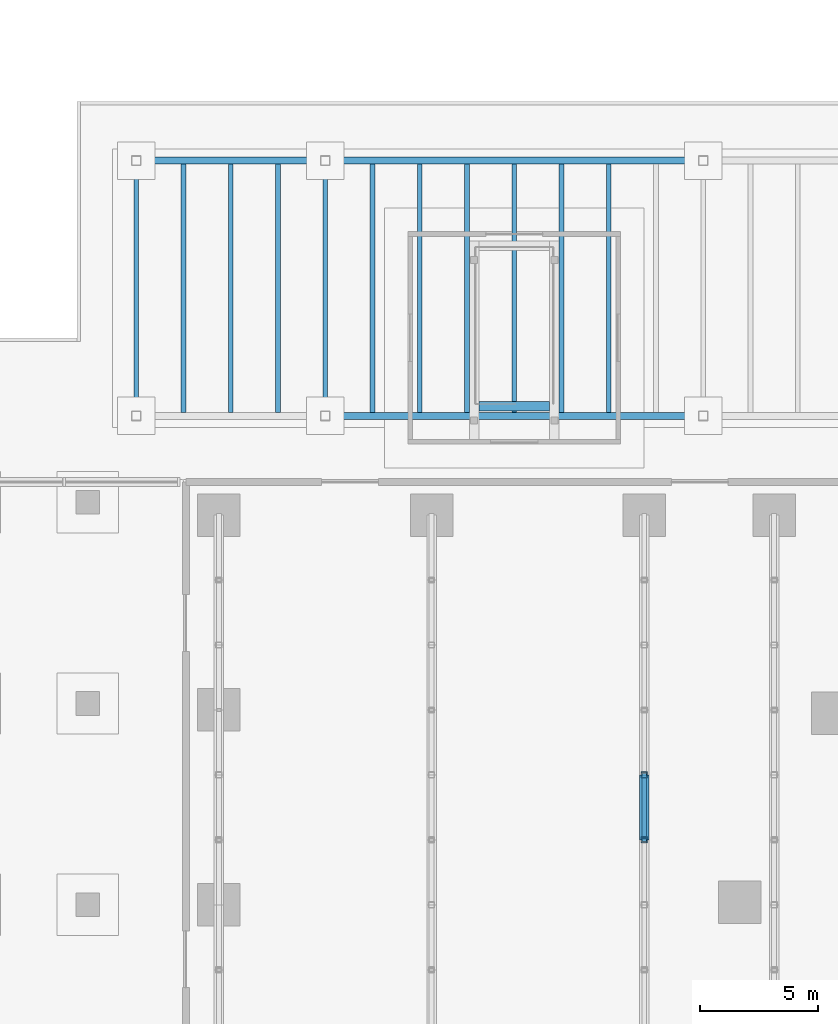
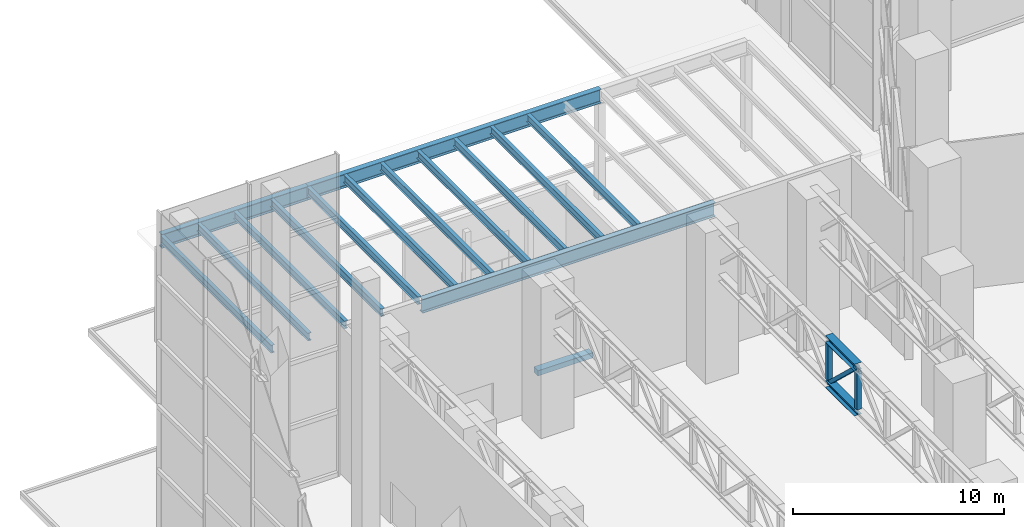
# One storey, part 14 of 40: 15 beams, 5 members.
"""IFC4 building model written with IfcOpenShell, lengths in metres."""

from ifc_helpers import new_model, si_unit, direction, frame, origin, origin_2d, place, context, subcontext, project, spatial, rectangle, hollow_rectangle, i_section, extrude, material, material_profile, profile_set, type_object, element, save


model = new_model("IFC4")

# Units and contexts
model_context = context("Model", 3, precision=1e-05, world=origin(), true_north=direction((0.0, 1.0)))
body_context = subcontext(model_context, "Body", "Model", "MODEL_VIEW")
ifc_project = project(units=[si_unit("LENGTHUNIT", "METRE"), si_unit("AREAUNIT", "SQUARE_METRE"), si_unit("VOLUMEUNIT", "CUBIC_METRE"), si_unit("PLANEANGLEUNIT", "RADIAN"), si_unit("MASSUNIT", "GRAM", prefix="KILO")], contexts=[model_context])

# Site, building, storey
site_placement = place(None, origin())
site = spatial("IfcSite", under=ifc_project, at=site_placement, CompositionType="ELEMENT")
building_placement = place(site_placement, origin())
building = spatial("IfcBuilding", under=site, at=building_placement, Name="Dongbaek Canopy Tower", CompositionType="ELEMENT")
storey_placement = place(building_placement, origin())
storey = spatial("IfcBuildingStorey", under=building, at=storey_placement, Name="L00", CompositionType="ELEMENT", Elevation=0.0)

# Members
ifc_material_1 = material(Name="Steel S355", Category="steel")
ifc_material_profile_1 = material_profile(ifc_material_1, hollow_rectangle(XDim=0.199951171875, YDim=0.199951171875, WallThickness=0.009033203125, at=origin_2d()), Name="BRACE SHS 200x200x9 Steel S355")
ifc_profile_set_1 = profile_set([ifc_material_profile_1], Name="Steel S355")
member_type_1 = type_object("IfcMemberType", Name="BRACE SHS 200x200x9 Steel S355", PredefinedType="BRACE", material=ifc_profile_set_1)
member_placement = place(storey_placement, frame((-38.5, 2.75, 8.5), z_axis=(0.0, 0.726633772729, -0.687025007063), x_axis=(-1.0, 0.0, 0.0)))
element("IfcMember", 1, at=member_placement, inside=storey, type_object=member_type_1, Name="ROOFTRUSS:WW:2:D7", PredefinedType="BRACE", context=body_context, shape_type="SweptSolid", body=[
    extrude(hollow_rectangle(XDim=0.199951171875, YDim=0.199951171875, WallThickness=0.009033203125, at=origin_2d()), origin(), (0.0, 0.0, 1.0), 3.78466796875),
])
ifc_material_2 = material(Name="Steel S355", Category="steel")
ifc_material_profile_2 = material_profile(ifc_material_2, i_section(OverallWidth=0.39990234375, OverallDepth=0.39990234375, WebThickness=0.012939453125, FlangeThickness=0.02099609375, FilletRadius=0.02197265625, at=origin_2d()), Name="CHORD H 400x400x13x21 Steel S355")
ifc_profile_set_2 = profile_set([ifc_material_profile_2], Name="Steel S355")
member_type_2 = type_object("IfcMemberType", Name="CHORD H 400x400x13x21 Steel S355", PredefinedType="CHORD", material=ifc_profile_set_2)
for number, where, z_axis, x_axis, name in (
    (2, (-38.5, 2.75, 5.89990234375), (0.0, 1.0, 0.0), (-1.0, 0.0, 0.0), "ROOFTRUSS:WW:2:CB7"),
    (3, (-38.5, 2.75, 8.5), (0.0, 1.0, 0.0), (-1.0, 0.0, 0.0), "ROOFTRUSS:WW:2:CT7"),
):
    element("IfcMember", number, at=place(storey_placement, frame(where, z_axis=z_axis, x_axis=x_axis)), inside=storey, type_object=member_type_2, Name=name, PredefinedType="CHORD", context=body_context, shape_type="SweptSolid", body=[
        extrude(i_section(OverallWidth=0.39990234375, OverallDepth=0.39990234375, WebThickness=0.012939453125, FlangeThickness=0.02099609375, FilletRadius=0.02197265625, at=origin_2d()), origin(), (0.0, 0.0, 1.0), 2.75),
    ])
ifc_material_3 = material(Name="Steel S355", Category="steel")
ifc_material_profile_3 = material_profile(ifc_material_3, hollow_rectangle(XDim=0.25, YDim=0.25, WallThickness=0.011962890625, at=origin_2d()), Name="POST SHS 250x250x12 Steel S355")
ifc_profile_set_3 = profile_set([ifc_material_profile_3], Name="Steel S355")
member_type_3 = type_object("IfcMemberType", Name="POST SHS 250x250x12 Steel S355", PredefinedType="POST", material=ifc_profile_set_3)
for number, where, z_axis, x_axis, name in (
    (4, (-38.5, 2.75, 6.10009765625), (0.0, 0.0, 1.0), (1.0, 0.0, 0.0), "ROOFTRUSS:WW:2:P7"),
    (5, (-38.5, 5.5, 6.10009765625), (0.0, 0.0, 1.0), (1.0, 0.0, 0.0), "ROOFTRUSS:WW:2:P8"),
):
    element("IfcMember", number, at=place(storey_placement, frame(where, z_axis=z_axis, x_axis=x_axis)), inside=storey, type_object=member_type_3, Name=name, PredefinedType="POST", context=body_context, shape_type="SweptSolid", body=[
        extrude(hollow_rectangle(XDim=0.25, YDim=0.25, WallThickness=0.011962890625, at=origin_2d()), origin(), (0.0, 0.0, 1.0), 2.199951171875),
    ])

# Beams
ifc_material_4 = material(Name="Steel S355", Category="steel")
ifc_material_profile_4 = material_profile(ifc_material_4, i_section(OverallWidth=0.199951171875, OverallDepth=0.449951171875, WebThickness=0.009033203125, FlangeThickness=0.013916015625, FilletRadius=0.01806640625, at=origin_2d()), Name="STATION CANOPY BEAM 450x200x9x14 Steel S355")
ifc_profile_set_4 = profile_set([ifc_material_profile_4], Name="Steel S355")
beam_type_1 = type_object("IfcBeamType", Name="STATION CANOPY BEAM 450x200x9x14 Steel S355", PredefinedType="BEAM", material=ifc_profile_set_4)
for number, where, z_axis, x_axis, name in (
    (6, (-60.0, 20.85009765625, 6.074951171875), (0.0, 1.0, 0.0), (-1.0, 0.0, 0.0), "Station canopy B beam 1"),
    (7, (-58.0, 20.85009765625, 6.074951171875), (0.0, 1.0, 0.0), (-1.0, 0.0, 0.0), "Station canopy B beam 2"),
    (8, (-56.0, 20.85009765625, 6.074951171875), (0.0, 1.0, 0.0), (-1.0, 0.0, 0.0), "Station canopy B beam 3"),
    (9, (-54.0, 20.85009765625, 6.074951171875), (0.0, 1.0, 0.0), (-1.0, 0.0, 0.0), "Station canopy B beam 4"),
    (10, (-52.0, 20.85009765625, 6.074951171875), (0.0, 1.0, 0.0), (-1.0, 0.0, 0.0), "Station canopy B beam 5"),
    (11, (-50.0, 20.85009765625, 6.074951171875), (0.0, 1.0, 0.0), (-1.0, 0.0, 0.0), "Station canopy B beam 6"),
    (12, (-48.0, 20.85009765625, 6.074951171875), (0.0, 1.0, 0.0), (-1.0, 0.0, 0.0), "Station canopy B beam 7"),
    (13, (-46.0, 20.85009765625, 6.074951171875), (0.0, 1.0, 0.0), (-1.0, 0.0, 0.0), "Station canopy B beam 8"),
    (14, (-44.0, 20.85009765625, 6.074951171875), (0.0, 1.0, 0.0), (-1.0, 0.0, 0.0), "Station canopy B beam 9"),
    (15, (-42.0, 20.85009765625, 6.074951171875), (0.0, 1.0, 0.0), (-1.0, 0.0, 0.0), "Station canopy B beam 10"),
    (16, (-40.0, 20.85009765625, 6.074951171875), (0.0, 1.0, 0.0), (-1.0, 0.0, 0.0), "Station canopy B beam 11"),
):
    element("IfcBeam", number, at=place(storey_placement, frame(where, z_axis=z_axis, x_axis=x_axis)), inside=storey, type_object=beam_type_1, Name=name, PredefinedType="BEAM", context=body_context, shape_type="SweptSolid", body=[
        extrude(i_section(OverallWidth=0.199951171875, OverallDepth=0.449951171875, WebThickness=0.009033203125, FlangeThickness=0.013916015625, FilletRadius=0.01806640625, at=origin_2d()), origin(), (0.0, 0.0, 1.0), 10.5),
    ])
ifc_material_5 = material(Name="Steel S355", Category="steel")
ifc_material_profile_5 = material_profile(ifc_material_5, i_section(OverallWidth=0.300048828125, OverallDepth=0.800048828125, WebThickness=0.013916015625, FlangeThickness=0.02587890625, FilletRadius=0.028076171875, at=origin_2d()), Name="STATION CANOPY GIRDER 800x300x14x26 Steel S355")
ifc_profile_set_5 = profile_set([ifc_material_profile_5], Name="Steel S355")
beam_type_2 = type_object("IfcBeamType", Name="STATION CANOPY GIRDER 800x300x14x26 Steel S355", PredefinedType="BEAM", material=ifc_profile_set_5)
beam_1_placement = place(storey_placement, frame((-52.0, 20.699951171875, 5.89990234375), z_axis=(1.0, 0.0, 0.0), x_axis=(0.0, 1.0, 0.0)))
element("IfcBeam", 17, at=beam_1_placement, inside=storey, type_object=beam_type_2, Name="Station canopy B girder 2", PredefinedType="BEAM", context=body_context, shape_type="SweptSolid", body=[
    extrude(i_section(OverallWidth=0.300048828125, OverallDepth=0.800048828125, WebThickness=0.013916015625, FlangeThickness=0.02587890625, FilletRadius=0.028076171875, at=origin_2d()), origin(), (0.0, 0.0, 1.0), 16.0),
])
beam_2_placement = place(storey_placement, frame((-60.0, 31.5, 5.89990234375), z_axis=(1.0, 0.0, 0.0), x_axis=(0.0, 1.0, 0.0)))
element("IfcBeam", 18, at=beam_2_placement, inside=storey, type_object=beam_type_2, Name="Station canopy B girder 4", PredefinedType="BEAM", context=body_context, shape_type="SweptSolid", body=[
    extrude(i_section(OverallWidth=0.300048828125, OverallDepth=0.800048828125, WebThickness=0.013916015625, FlangeThickness=0.02587890625, FilletRadius=0.028076171875, at=origin_2d()), origin(), (0.0, 0.0, 1.0), 8.0),
])
beam_3_placement = place(storey_placement, frame((-52.0, 31.5, 5.89990234375), z_axis=(1.0, 0.0, 0.0), x_axis=(0.0, 1.0, 0.0)))
element("IfcBeam", 19, at=beam_3_placement, inside=storey, type_object=beam_type_2, Name="Station canopy B girder 5", PredefinedType="BEAM", context=body_context, shape_type="SweptSolid", body=[
    extrude(i_section(OverallWidth=0.300048828125, OverallDepth=0.800048828125, WebThickness=0.013916015625, FlangeThickness=0.02587890625, FilletRadius=0.028076171875, at=origin_2d()), origin(), (0.0, 0.0, 1.0), 16.0),
])
ifc_material_6 = material(Name="Concrete C40/50", Category="concrete")
ifc_material_profile_6 = material_profile(ifc_material_6, rectangle(XDim=0.39990234375, YDim=0.300048828125, at=origin_2d()), Name="Stair well trimmer beam 400 x 300")
ifc_profile_set_6 = profile_set([ifc_material_profile_6], Name="Concrete C40/50")
beam_type_3 = type_object("IfcBeamType", Name="Stair well trimmer beam 400 x 300", PredefinedType="BEAM", material=ifc_profile_set_6)
beam_4_placement = place(storey_placement, frame((-45.5, 21.10009765625, -0.449951171875), z_axis=(1.0, 0.0, 0.0), x_axis=(0.0, 1.0, 0.0)))
element("IfcBeam", 20, at=beam_4_placement, inside=storey, type_object=beam_type_3, Name="Metro entrance B stair well trimmer beam", PredefinedType="BEAM", context=body_context, shape_type="SweptSolid", body=[
    extrude(rectangle(XDim=0.39990234375, YDim=0.300048828125, at=origin_2d()), origin(), (0.0, 0.0, 1.0), 3.0),
])

save(model, "model.ifc")
